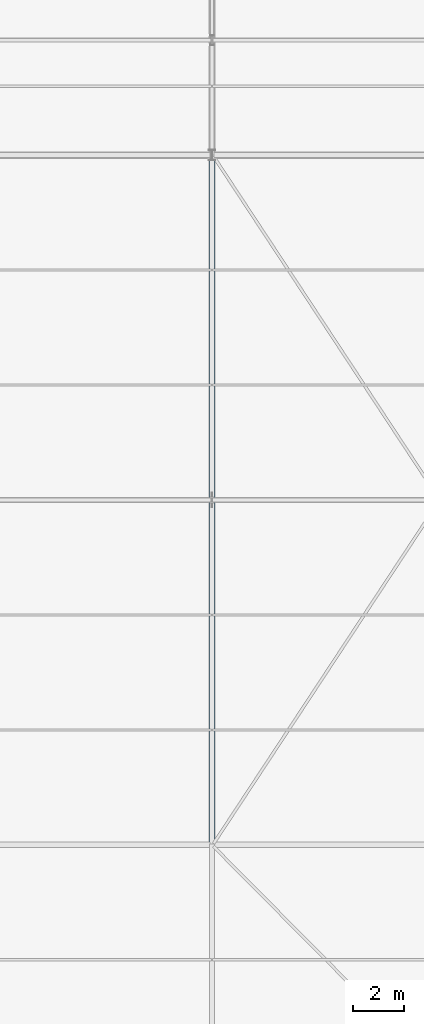
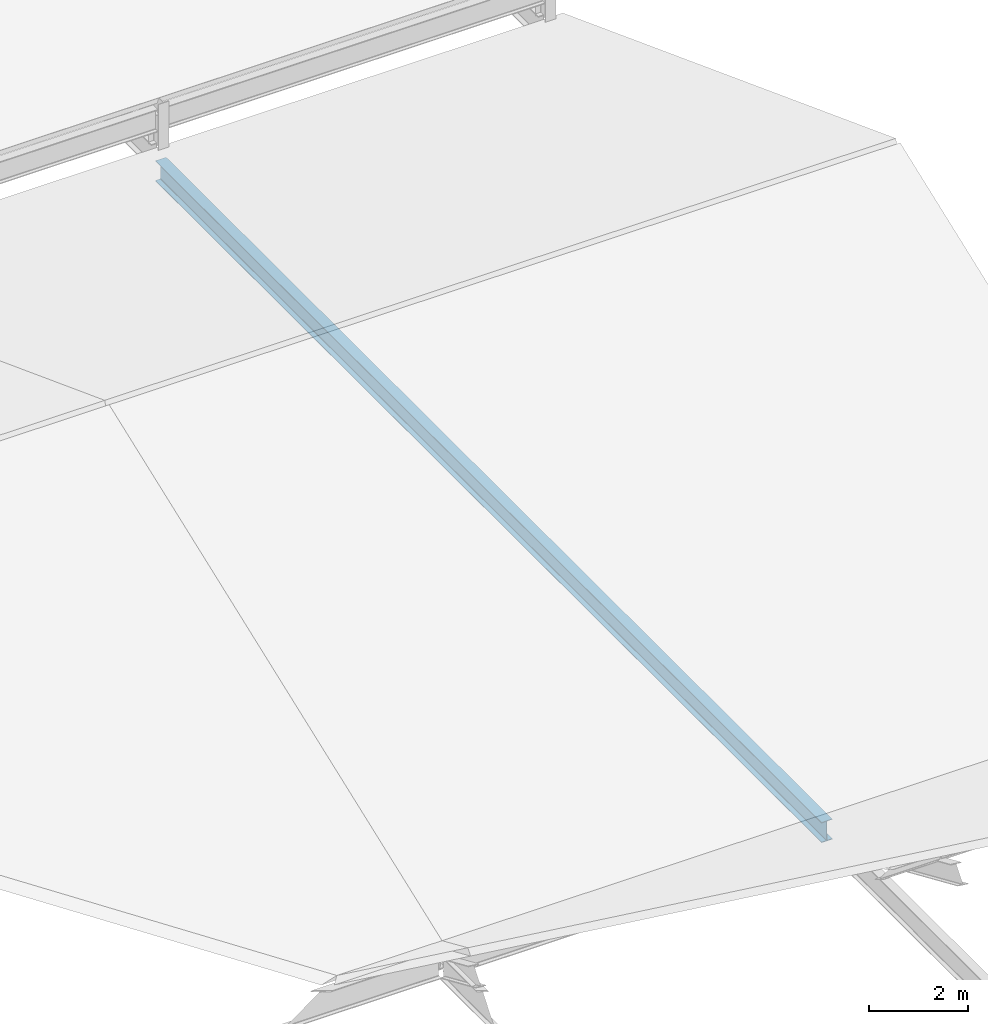
# One storey, part 56 of 163: 1 beam.
"""IFC4 building model written with IfcOpenShell, lengths in metres."""

import ifcopenshell
import ifcopenshell.guid

model = None  # the IFC model being written
_history = None  # IfcOwnerHistory: only IFC2X3 demands one
_inside = {}  # id of a spatial element -> (the spatial element, [elements in it])
_under = {}  # id of a project, library or spatial element -> (it, [spatial elements below it])
_declared = {}  # id of a project -> (the project, [libraries it declares])
_typed = {}  # id of a type object -> (the type object, [elements of that type])
_made_of = {}  # id of a material, layer set ... -> (it, [elements and type objects made of it])


def new_model(schema):
    """Start an empty IFC model of exactly this schema.

    Asked for "IFC4X3", IfcOpenShell would pick the latest addendum, in which some entities
    have other attributes; the version numbers below select the first issue.
    IFC2X3 requires an IfcOwnerHistory on every rooted entity: one is made here for all.
    """
    global model, _history
    if schema == "IFC4X3":
        model = ifcopenshell.file(schema_version=(4, 3, 0, 0))
    else:
        model = ifcopenshell.file(schema=schema)
    _inside.clear()
    _under.clear()
    _declared.clear()
    _typed.clear()
    _made_of.clear()
    _history = None
    if model.schema == "IFC2X3":
        org = make("IfcOrganization", Name="unknown")
        user = make(
            "IfcPersonAndOrganization",
            ThePerson=make("IfcPerson", FamilyName="unknown"),
            TheOrganization=org,
        )
        app = make(
            "IfcApplication",
            ApplicationDeveloper=org,
            Version="unknown",
            ApplicationFullName="unknown",
            ApplicationIdentifier="unknown",
        )
        _history = make(
            "IfcOwnerHistory",
            OwningUser=user,
            OwningApplication=app,
            ChangeAction="ADDED",
            CreationDate=0,
        )
    return model


def make(cls, **values):
    """One entity of the class cls with the attributes given. An attribute that is None is left unset."""
    return model.create_entity(
        cls, **{name: value for name, value in values.items() if value is not None}
    )


def rooted(cls, **values):
    """An entity with a GlobalId (a new one), such as an element, a storey or a relation."""
    return make(cls, GlobalId=ifcopenshell.guid.new(), OwnerHistory=_history, **values)


def si_unit(unit_type, name, prefix=None):
    """IfcSIUnit, for example si_unit("LENGTHUNIT", "METRE", prefix="MILLI")."""
    return make("IfcSIUnit", UnitType=unit_type, Prefix=prefix, Name=name)


def assignment(units):
    """IfcUnitAssignment: the units of a project."""
    return None if units is None else make("IfcUnitAssignment", Units=units)


def point(xyz):
    """IfcCartesianPoint."""
    return None if xyz is None else make("IfcCartesianPoint", Coordinates=xyz)


def direction(xyz):
    """IfcDirection."""
    return None if xyz is None else make("IfcDirection", DirectionRatios=xyz)


def frame(location, z_axis=None, x_axis=None):
    """IfcAxis2Placement3D, a coordinate frame: its origin and axes. An axis left out is left unset."""
    return make(
        "IfcAxis2Placement3D",
        Location=point(location),
        Axis=direction(z_axis),
        RefDirection=direction(x_axis),
    )


def frame_2d(location, x_axis=None):
    """IfcAxis2Placement2D, a coordinate frame in the plane: its origin and x axis."""
    return make(
        "IfcAxis2Placement2D", Location=point(location), RefDirection=direction(x_axis)
    )


def origin():
    """The frame at (0, 0, 0) with its axes left unset."""
    return frame((0.0, 0.0, 0.0))


def origin_2d():
    """The frame at (0, 0) in the plane with its x axis left unset."""
    return frame_2d((0.0, 0.0))


def place(relative_to, where):
    """IfcLocalPlacement: puts the frame where relative to a parent placement (None: the world)."""
    return make(
        "IfcLocalPlacement", PlacementRelTo=relative_to, RelativePlacement=where
    )


def context(
    kind, dimensions, precision=None, world=None, true_north=None, identifier=None
):
    """IfcGeometricRepresentationContext, for example the 3D "Model" context."""
    return make(
        "IfcGeometricRepresentationContext",
        ContextIdentifier=identifier,
        ContextType=kind,
        CoordinateSpaceDimension=dimensions,
        Precision=precision,
        WorldCoordinateSystem=world,
        TrueNorth=true_north,
    )


def subcontext(parent, identifier, kind, view, scale=None):
    """IfcGeometricRepresentationSubContext, for example "Body" below "Model"."""
    return make(
        "IfcGeometricRepresentationSubContext",
        ContextIdentifier=identifier,
        ContextType=kind,
        ParentContext=parent,
        TargetScale=scale,
        TargetView=view,
    )


def project(units=None, contexts=None):
    """IfcProject with its units and contexts."""
    return rooted(
        "IfcProject",
        Name="project",
        RepresentationContexts=contexts,
        UnitsInContext=assignment(units),
    )


def spatial(cls, under=None, at=None, **own):
    """A site, building, storey or space (cls), placed at a placement, below another one or the project."""
    s = rooted(cls, ObjectPlacement=at, **own)
    if under is not None:
        _under.setdefault(under.id(), (under, []))[1].append(s)
    return s


def profile(cls, at=None, kind="AREA", **sizes):
    """A parametric profile (cls). Its sizes go by their IFC names, for example OverallWidth=200.0."""
    return make(cls, ProfileType=kind, Position=at, **sizes)


def i_section(**sizes):
    """IfcIShapeProfileDef."""
    return profile("IfcIShapeProfileDef", **sizes)


def extrude(swept, where, along, depth):
    """IfcExtrudedAreaSolid: the profile swept, set in the frame where, extruded along a direction by depth."""
    return make(
        "IfcExtrudedAreaSolid",
        SweptArea=swept,
        Position=where,
        ExtrudedDirection=direction(along),
        Depth=depth,
    )


def shape(context_of_items, identifier, shape_type, items):
    """IfcShapeRepresentation: the items that make up one representation, for example the "Body"."""
    return make(
        "IfcShapeRepresentation",
        ContextOfItems=context_of_items,
        RepresentationIdentifier=identifier,
        RepresentationType=shape_type,
        Items=items,
    )


def material(Name=None, Category=None):
    """IfcMaterial."""
    return make("IfcMaterial", Name=Name, Category=Category)


def material_profile(
    of_material, cross_section, Name=None, Category=None, Priority=None
):
    """IfcMaterialProfile: a cross section and its material."""
    return make(
        "IfcMaterialProfile",
        Name=Name,
        Material=of_material,
        Profile=cross_section,
        Priority=Priority,
        Category=Category,
    )


def profile_set(profiles, Name=None, composite=None):
    """IfcMaterialProfileSet."""
    return make(
        "IfcMaterialProfileSet",
        Name=Name,
        MaterialProfiles=profiles,
        CompositeProfile=composite,
    )


def made_of(thing, what):
    """Note that an element or type object is made of a material, layer set ...; save() writes the relation."""
    if what is not None:
        _made_of.setdefault(what.id(), (what, []))[1].append(thing)
    return thing


def type_object(cls, material=None, **own):
    """A type object (cls), such as IfcWallType, which elements share."""
    return made_of(rooted(cls, **own), material)


def element(
    cls,
    number,
    at=None,
    inside=None,
    cuts=None,
    type_object=None,
    material=None,
    context=None,
    identifier="Body",
    shape_type=None,
    held_by="IfcProductDefinitionShape",
    body=None,
    shapes=None,
    **own,
):
    """One element of the class cls, such as IfcWall. Its Tag is "e" and its number.

    at: its placement. inside: the storey or other place that contains it. cuts: it is an
    opening in that element (IfcRelVoidsElement). A single representation is given by context,
    identifier, shape_type and body (its items); several are given by shapes. held_by: the class
    of the entity that holds the representations. save() writes the other relations.
    """
    e = rooted(cls, Tag="e%d" % number, ObjectPlacement=at, **own)
    if body is not None:
        shapes = [shape(context, identifier, shape_type, body)]
    if shapes is not None:
        e.Representation = make(held_by, Representations=shapes)
    if inside is not None:
        _inside.setdefault(inside.id(), (inside, []))[1].append(e)
    if cuts is not None:
        rooted(
            "IfcRelVoidsElement", RelatingBuildingElement=cuts, RelatedOpeningElement=e
        )
    if type_object is not None:
        _typed.setdefault(type_object.id(), (type_object, []))[1].append(e)
    return made_of(e, material)


def aggregate(whole, parts):
    """IfcRelAggregates: a whole, such as a stair, and the parts it consists of."""
    return rooted("IfcRelAggregates", RelatingObject=whole, RelatedObjects=parts)


def save(model, path):
    """Write the relations noted so far, then the file.

    IfcRelAggregates (storeys below a building ...), IfcRelContainedInSpatialStructure (elements
    in a storey), IfcRelDefinesByType, IfcRelAssociatesMaterial and IfcRelDeclares: one each for
    every whole, place, type object, material and project.
    """
    for whole, parts in _under.values():
        aggregate(whole, parts)
    for where, things in _inside.values():
        rooted(
            "IfcRelContainedInSpatialStructure",
            RelatedElements=things,
            RelatingStructure=where,
        )
    for kind, things in _typed.values():
        rooted("IfcRelDefinesByType", RelatedObjects=things, RelatingType=kind)
    for what, things in _made_of.values():
        rooted("IfcRelAssociatesMaterial", RelatedObjects=things, RelatingMaterial=what)
    for by, libraries in _declared.values():
        rooted("IfcRelDeclares", RelatingContext=by, RelatedDefinitions=libraries)
    model.write(path)


model = new_model("IFC4")

# Units and contexts
model_context = context("Model", 3, precision=1e-05, world=origin(), true_north=direction((0.0, 1.0)))
body_context = subcontext(model_context, "Body", "Model", "MODEL_VIEW")
ifc_project = project(units=[si_unit("LENGTHUNIT", "METRE"), si_unit("AREAUNIT", "SQUARE_METRE"), si_unit("VOLUMEUNIT", "CUBIC_METRE"), si_unit("PLANEANGLEUNIT", "RADIAN"), si_unit("MASSUNIT", "GRAM", prefix="KILO")], contexts=[model_context])

# Site, building, storey
site_placement = place(None, origin())
site = spatial("IfcSite", under=ifc_project, at=site_placement, CompositionType="ELEMENT")
building_placement = place(site_placement, origin())
building = spatial("IfcBuilding", under=site, at=building_placement, Name="Tharagai Park Tramway Depot", CompositionType="ELEMENT")
storey_placement = place(building_placement, frame((0.0, 0.0, 8.39990234375)))
storey = spatial("IfcBuildingStorey", under=building, at=storey_placement, Name="L02", CompositionType="ELEMENT", Elevation=8.39990234375)

# Beam
ifc_material = material(Name="Steel E350", Category="steel")
ifc_material_profile = material_profile(ifc_material, i_section(OverallWidth=0.25, OverallDepth=0.5, WebThickness=0.010009765625, FlangeThickness=0.0146484375, FilletRadius=0.014892578125, at=origin_2d()), Name="ISWB 500")
ifc_profile_set = profile_set([ifc_material_profile], Name="Steel E350")
beam_type = type_object("IfcBeamType", Name="BM-08", PredefinedType="BEAM", material=ifc_profile_set)
beam_placement = place(storey_placement, frame((81.0, 63.080078125, -0.5), z_axis=(0.0, 1.0, 0.0), x_axis=(-1.0, 0.0, 0.0)))
element("IfcBeam", 1, at=beam_placement, inside=storey, type_object=beam_type, Name="V2B Gable Tie Girder BM-08", PredefinedType="BEAM", context=body_context, shape_type="SweptSolid", body=[
    extrude(i_section(OverallWidth=0.25, OverallDepth=0.5, WebThickness=0.010009765625, FlangeThickness=0.0146484375, FilletRadius=0.014892578125, at=origin_2d()), origin(), (0.0, 0.0, 1.0), 26.83984375),
])

save(model, "model.ifc")
